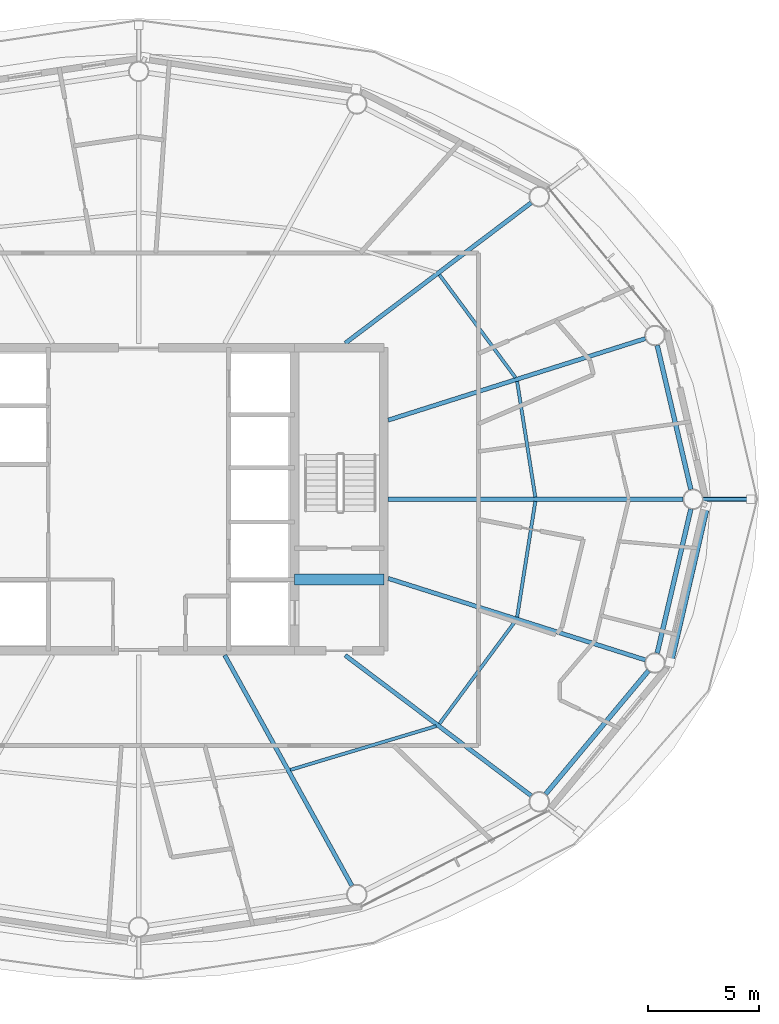
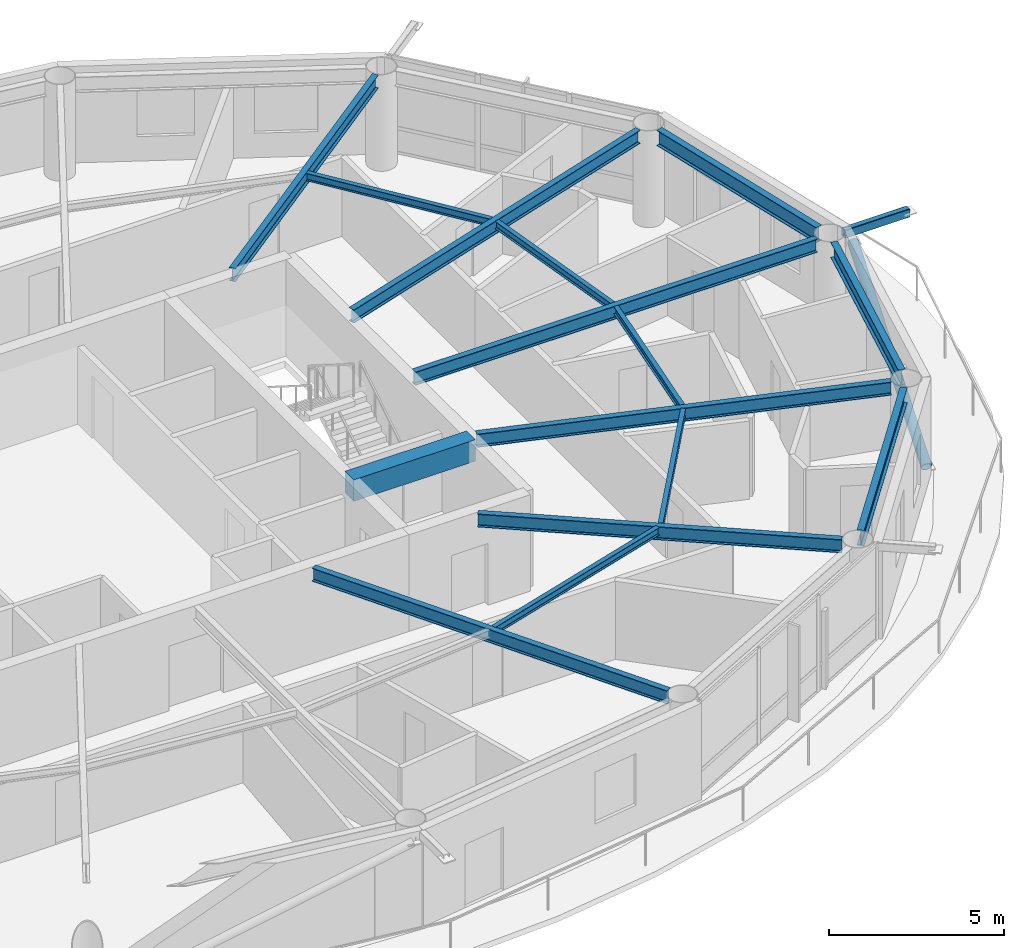
# One storey, part 6 of 22: 15 beams, 2 members.
"""IFC4 building model written with IfcOpenShell, lengths in metres."""

from ifc_helpers import new_model, si_unit, direction, frame, origin, origin_2d, place, context, subcontext, project, spatial, rectangle, hollow_rectangle, hollow_circle, i_section, extrude, material, material_profile, profile_set, type_object, element, save


model = new_model("IFC4")

# Units and contexts
model_context = context("Model", 3, precision=1e-05, world=origin(), true_north=direction((0.0, 1.0)))
body_context = subcontext(model_context, "Body", "Model", "MODEL_VIEW")
ifc_project = project(units=[si_unit("LENGTHUNIT", "METRE"), si_unit("AREAUNIT", "SQUARE_METRE"), si_unit("VOLUMEUNIT", "CUBIC_METRE"), si_unit("PLANEANGLEUNIT", "RADIAN"), si_unit("MASSUNIT", "GRAM", prefix="KILO")], contexts=[model_context])

# Site, building, storey
site_placement = place(None, origin())
site = spatial("IfcSite", under=ifc_project, at=site_placement, CompositionType="ELEMENT")
building_placement = place(site_placement, origin())
building = spatial("IfcBuilding", under=site, at=building_placement, Name="Sarneth Arch Tower", CompositionType="ELEMENT")
storey_placement = place(building_placement, frame((0.0, 0.0, 213.60009765625)))
storey = spatial("IfcBuildingStorey", under=building, at=storey_placement, Name="L54", CompositionType="ELEMENT", Elevation=213.60009765625)

# Beams
ifc_material_1 = material(Name="Steel S355", Category="steel")
ifc_material_profile_1 = material_profile(ifc_material_1, i_section(OverallWidth=0.14794921875, OverallDepth=0.26611328125, WebThickness=0.007568359375, FlangeThickness=0.012939453125, FilletRadius=0.012939453125, at=origin_2d()), Name="W250x44.8")
ifc_profile_set_1 = profile_set([ifc_material_profile_1], Name="Steel S355")
beam_type_1 = type_object("IfcBeamType", Name="BM-JOIST-250", PredefinedType="JOIST", material=ifc_profile_set_1)
beam_1_placement = place(storey_placement, frame((65.8017578125, 42.0947265625, 3.226806640625), z_axis=(-0.155421095795, 0.987848309702, 0.0), x_axis=(-0.987848309702, -0.155421095795, 0.0)))
element("IfcBeam", 1, at=beam_1_placement, inside=storey, type_object=beam_type_1, Name="L54 Secondary floor joist 01", PredefinedType="JOIST", context=body_context, shape_type="SweptSolid", body=[
    extrude(i_section(OverallWidth=0.14794921875, OverallDepth=0.26611328125, WebThickness=0.007568359375, FlangeThickness=0.012939453125, FilletRadius=0.012939453125, at=origin_2d()), origin(), (0.0, 0.0, 1.0), 5.256103515625),
])
beam_2_placement = place(storey_placement, frame((64.912841796875, 47.458740234375, 3.226806640625), z_axis=(-0.594557229879, 0.804053294501, 0.0), x_axis=(-0.804053294501, -0.594557229879, 0.0)))
element("IfcBeam", 2, at=beam_2_placement, inside=storey, type_object=beam_type_1, Name="L54 Secondary floor joist 02", PredefinedType="JOIST", context=body_context, shape_type="SweptSolid", body=[
    extrude(i_section(OverallWidth=0.14794921875, OverallDepth=0.26611328125, WebThickness=0.007568359375, FlangeThickness=0.012939453125, FilletRadius=0.012939453125, at=origin_2d()), origin(), (0.0, 0.0, 1.0), 5.74169921875),
])
beam_3_placement = place(storey_placement, frame((54.810546875, 29.85546875, 3.226806640625), z_axis=(0.957725851155, 0.287682453461, 0.0), x_axis=(-0.287682453461, 0.957725851155, 0.0)))
element("IfcBeam", 3, at=beam_3_placement, inside=storey, type_object=beam_type_1, Name="L54 Secondary floor joist 14", PredefinedType="JOIST", context=body_context, shape_type="SweptSolid", body=[
    extrude(i_section(OverallWidth=0.14794921875, OverallDepth=0.26611328125, WebThickness=0.007568359375, FlangeThickness=0.012939453125, FilletRadius=0.012939453125, at=origin_2d()), origin(), (0.0, 0.0, 1.0), 6.828125),
])
beam_4_placement = place(storey_placement, frame((61.4990234375, 31.924560546875, 3.226806640625), z_axis=(0.594557229879, 0.804053294501, 0.0), x_axis=(-0.804053294501, 0.594557229879, 0.0)))
element("IfcBeam", 4, at=beam_4_placement, inside=storey, type_object=beam_type_1, Name="L54 Secondary floor joist 15", PredefinedType="JOIST", context=body_context, shape_type="SweptSolid", body=[
    extrude(i_section(OverallWidth=0.14794921875, OverallDepth=0.26611328125, WebThickness=0.007568359375, FlangeThickness=0.012939453125, FilletRadius=0.012939453125, at=origin_2d()), origin(), (0.0, 0.0, 1.0), 5.74169921875),
])
beam_5_placement = place(storey_placement, frame((64.98486328125, 36.713134765625, 3.226806640625), z_axis=(0.155421095795, 0.987848309702, 0.0), x_axis=(-0.987848309702, 0.155421095795, 0.0)))
element("IfcBeam", 5, at=beam_5_placement, inside=storey, type_object=beam_type_1, Name="L54 Secondary floor joist 16", PredefinedType="JOIST", context=body_context, shape_type="SweptSolid", body=[
    extrude(i_section(OverallWidth=0.14794921875, OverallDepth=0.26611328125, WebThickness=0.007568359375, FlangeThickness=0.012939453125, FilletRadius=0.012939453125, at=origin_2d()), origin(), (0.0, 0.0, 1.0), 5.256103515625),
])
ifc_material_2 = material(Name="Concrete C50/60", Category="concrete")
ifc_material_profile_2 = material_profile(ifc_material_2, rectangle(XDim=0.5, YDim=0.75, at=origin_2d()), Name="RC-500x750")
ifc_profile_set_2 = profile_set([ifc_material_profile_2], Name="Concrete C50/60")
beam_type_2 = type_object("IfcBeamType", Name="BM-LINTEL-RC", PredefinedType="LINTEL", material=ifc_profile_set_2)
beam_6_placement = place(storey_placement, frame((55.0, 38.39990234375, 2.98486328125), z_axis=(1.0, 0.0, 0.0), x_axis=(0.0, 1.0, 0.0)))
element("IfcBeam", 6, at=beam_6_placement, inside=storey, type_object=beam_type_2, Name="L54 Core coupling lintel E", PredefinedType="LINTEL", context=body_context, shape_type="SweptSolid", body=[
    extrude(rectangle(XDim=0.5, YDim=0.75, at=origin_2d()), origin(), (0.0, 0.0, 1.0), 4.0),
])
ifc_material_3 = material(Name="Steel S355", Category="steel")
ifc_material_profile_3 = material_profile(ifc_material_3, i_section(OverallWidth=0.19189453125, OverallDepth=0.462890625, WebThickness=0.010498046875, FlangeThickness=0.017578125, FilletRadius=0.01806640625, at=origin_2d()), Name="W460x89")
ifc_profile_set_3 = profile_set([ifc_material_profile_3], Name="Steel S355")
beam_type_3 = type_object("IfcBeamType", Name="BM-RAD-460B", PredefinedType="BEAM", material=ifc_profile_set_3)
beam_7_placement = place(storey_placement, frame((59.199951171875, 42.0, 3.12841796875), z_axis=(1.0, 0.0, 0.0), x_axis=(0.0, 1.0, 0.0)))
element("IfcBeam", 7, at=beam_7_placement, inside=storey, type_object=beam_type_3, Name="L54 Radial floor girder 01", PredefinedType="BEAM", context=body_context, shape_type="SweptSolid", body=[
    extrude(i_section(OverallWidth=0.19189453125, OverallDepth=0.462890625, WebThickness=0.010498046875, FlangeThickness=0.017578125, FilletRadius=0.01806640625, at=origin_2d()), origin(), (0.0, 0.0, 1.0), 13.233154296875),
])
beam_8_placement = place(storey_placement, frame((59.199951171875, 45.5517578125, 3.12841796875), z_axis=(0.953215615433, 0.302291234563, 0.0), x_axis=(-0.302291234563, 0.953215615433, 0.0)))
element("IfcBeam", 8, at=beam_8_placement, inside=storey, type_object=beam_type_3, Name="L54 Radial floor girder 02", PredefinedType="BEAM", context=body_context, shape_type="SweptSolid", body=[
    extrude(i_section(OverallWidth=0.19189453125, OverallDepth=0.462890625, WebThickness=0.010498046875, FlangeThickness=0.017578125, FilletRadius=0.01806640625, at=origin_2d()), origin(), (0.0, 0.0, 1.0), 12.1064453125),
])
beam_9_placement = place(storey_placement, frame((57.26806640625, 49.0, 3.12841796875), z_axis=(0.79797356997, 0.602692443647, 0.0), x_axis=(-0.602692443647, 0.79797356997, 0.0)))
element("IfcBeam", 9, at=beam_9_placement, inside=storey, type_object=beam_type_3, Name="L54 Radial floor girder 03", PredefinedType="BEAM", context=body_context, shape_type="SweptSolid", body=[
    extrude(i_section(OverallWidth=0.19189453125, OverallDepth=0.462890625, WebThickness=0.010498046875, FlangeThickness=0.017578125, FilletRadius=0.01806640625, at=origin_2d()), origin(), (0.0, 0.0, 1.0), 10.461669921875),
])
beam_10_placement = place(storey_placement, frame((51.86376953125, 35.0, 3.12841796875), z_axis=(0.483218265038, -0.875499919094, 0.0), x_axis=(0.875499919094, 0.483218265038, 0.0)))
element("IfcBeam", 10, at=beam_10_placement, inside=storey, type_object=beam_type_3, Name="L54 Radial floor girder 14", PredefinedType="BEAM", context=body_context, shape_type="SweptSolid", body=[
    extrude(i_section(OverallWidth=0.19189453125, OverallDepth=0.462890625, WebThickness=0.010498046875, FlangeThickness=0.017578125, FilletRadius=0.01806640625, at=origin_2d()), origin(), (0.0, 0.0, 1.0), 11.8154296875),
])
beam_11_placement = place(storey_placement, frame((57.26806640625, 35.0, 3.12841796875), z_axis=(0.79797356997, -0.602692443647, 0.0), x_axis=(0.602692443647, 0.79797356997, 0.0)))
element("IfcBeam", 11, at=beam_11_placement, inside=storey, type_object=beam_type_3, Name="L54 Radial floor girder 15", PredefinedType="BEAM", context=body_context, shape_type="SweptSolid", body=[
    extrude(i_section(OverallWidth=0.19189453125, OverallDepth=0.462890625, WebThickness=0.010498046875, FlangeThickness=0.017578125, FilletRadius=0.01806640625, at=origin_2d()), origin(), (0.0, 0.0, 1.0), 10.461669921875),
])
beam_12_placement = place(storey_placement, frame((59.199951171875, 38.4482421875, 3.12841796875), z_axis=(0.953215615433, -0.302291234563, 0.0), x_axis=(0.302291234563, 0.953215615433, 0.0)))
element("IfcBeam", 12, at=beam_12_placement, inside=storey, type_object=beam_type_3, Name="L54 Radial floor girder 16", PredefinedType="BEAM", context=body_context, shape_type="SweptSolid", body=[
    extrude(i_section(OverallWidth=0.19189453125, OverallDepth=0.462890625, WebThickness=0.010498046875, FlangeThickness=0.017578125, FilletRadius=0.01806640625, at=origin_2d()), origin(), (0.0, 0.0, 1.0), 12.1064453125),
])
ifc_material_4 = material(Name="Steel S355", Category="steel")
ifc_material_profile_4 = material_profile(ifc_material_4, i_section(OverallWidth=0.2109375, OverallDepth=0.5390625, WebThickness=0.01171875, FlangeThickness=0.018798828125, FilletRadius=0.01806640625, at=origin_2d()), Name="W530x109")
ifc_profile_set_4 = profile_set([ifc_material_profile_4], Name="Steel S355")
beam_type_4 = type_object("IfcBeamType", Name="BM-RAD-530B", PredefinedType="BEAM", material=ifc_profile_set_4)
beam_13_placement = place(storey_placement, frame((72.781005859375, 42.438232421875, 3.09033203125), z_axis=(-0.227247037844, 0.973837144389, 0.0), x_axis=(-0.973837144389, -0.227247037844, 0.0)))
element("IfcBeam", 13, at=beam_13_placement, inside=storey, type_object=beam_type_4, Name="L54 Perimeter spandrel beam 01", PredefinedType="BEAM", context=body_context, shape_type="SweptSolid", body=[
    extrude(i_section(OverallWidth=0.2109375, OverallDepth=0.5390625, WebThickness=0.01171875, FlangeThickness=0.018798828125, FilletRadius=0.01806640625, at=origin_2d()), origin(), (0.0, 0.0, 1.0), 6.644775390625),
])
beam_14_placement = place(storey_placement, frame((66.263427734375, 28.769287109375, 3.09033203125), z_axis=(0.640390876881, 0.768049168222, 0.0), x_axis=(-0.768049168222, 0.640390876881, 0.0)))
element("IfcBeam", 14, at=beam_14_placement, inside=storey, type_object=beam_type_4, Name="L54 Perimeter spandrel beam 15", PredefinedType="BEAM", context=body_context, shape_type="SweptSolid", body=[
    extrude(i_section(OverallWidth=0.2109375, OverallDepth=0.5390625, WebThickness=0.01171875, FlangeThickness=0.018798828125, FilletRadius=0.01806640625, at=origin_2d()), origin(), (0.0, 0.0, 1.0), 7.2099609375),
])
beam_15_placement = place(storey_placement, frame((71.27099609375, 35.0908203125, 3.09033203125), z_axis=(0.227247037844, 0.973837144389, 0.0), x_axis=(-0.973837144389, 0.227247037844, 0.0)))
element("IfcBeam", 15, at=beam_15_placement, inside=storey, type_object=beam_type_4, Name="L54 Perimeter spandrel beam 16", PredefinedType="BEAM", context=body_context, shape_type="SweptSolid", body=[
    extrude(i_section(OverallWidth=0.2109375, OverallDepth=0.5390625, WebThickness=0.01171875, FlangeThickness=0.018798828125, FilletRadius=0.01806640625, at=origin_2d()), origin(), (0.0, 0.0, 1.0), 6.644775390625),
])

# Members
ifc_material_5 = material(Name="Steel S355", Category="steel")
ifc_material_profile_5 = material_profile(ifc_material_5, hollow_rectangle(XDim=0.199951171875, YDim=0.300048828125, WallThickness=0.012451171875, InnerFilletRadius=0.018798828125, OuterFilletRadius=0.03125, at=origin_2d()), Name="RHS300x200x12.5")
ifc_profile_set_5 = profile_set([ifc_material_profile_5], Name="Steel S355")
member_type_1 = type_object("IfcMemberType", Name="MEM-CANT-STRUT", PredefinedType="STRUT", material=ifc_profile_set_5)
member_1_placement = place(storey_placement, frame((73.333251953125, 42.0, 3.199951171875), z_axis=(1.0, 0.0, 0.0), x_axis=(0.0, 1.0, 0.0)))
element("IfcMember", 16, at=member_1_placement, inside=storey, type_object=member_type_1, Name="L54 Balcony cantilever bracket 01", PredefinedType="STRUT", context=body_context, shape_type="SweptSolid", body=[
    extrude(hollow_rectangle(XDim=0.199951171875, YDim=0.300048828125, WallThickness=0.012451171875, InnerFilletRadius=0.018798828125, OuterFilletRadius=0.03125, at=origin_2d()), origin(), (0.0, 0.0, 1.0), 2.13330078125),
])
ifc_material_6 = material(Name="Steel S355", Category="steel")
ifc_material_profile_6 = material_profile(ifc_material_6, hollow_circle(Radius=0.162109375, WallThickness=0.012451171875, at=origin_2d()), Name="CHS324x12.5")
ifc_profile_set_6 = profile_set([ifc_material_profile_6], Name="Steel S355")
member_type_2 = type_object("IfcMemberType", Name="MEM-DIAG-BR3", PredefinedType="BRACE", material=ifc_profile_set_6)
member_2_placement = place(storey_placement, frame((71.851806640625, 34.6845703125, 0.02001953125), z_axis=(0.207917989892, 0.898749333617, 0.386030756289), x_axis=(-0.974268900284, 0.225388797281, 0.0)))
element("IfcMember", 17, at=member_2_placement, inside=storey, type_object=member_type_2, Name="L54 Perimeter frame diagonal 16", PredefinedType="BRACE", context=body_context, shape_type="SweptSolid", body=[
    extrude(hollow_circle(Radius=0.162109375, WallThickness=0.012451171875, at=origin_2d()), origin(), (0.0, 0.0, 1.0), 7.814453125),
])

save(model, "model.ifc")
